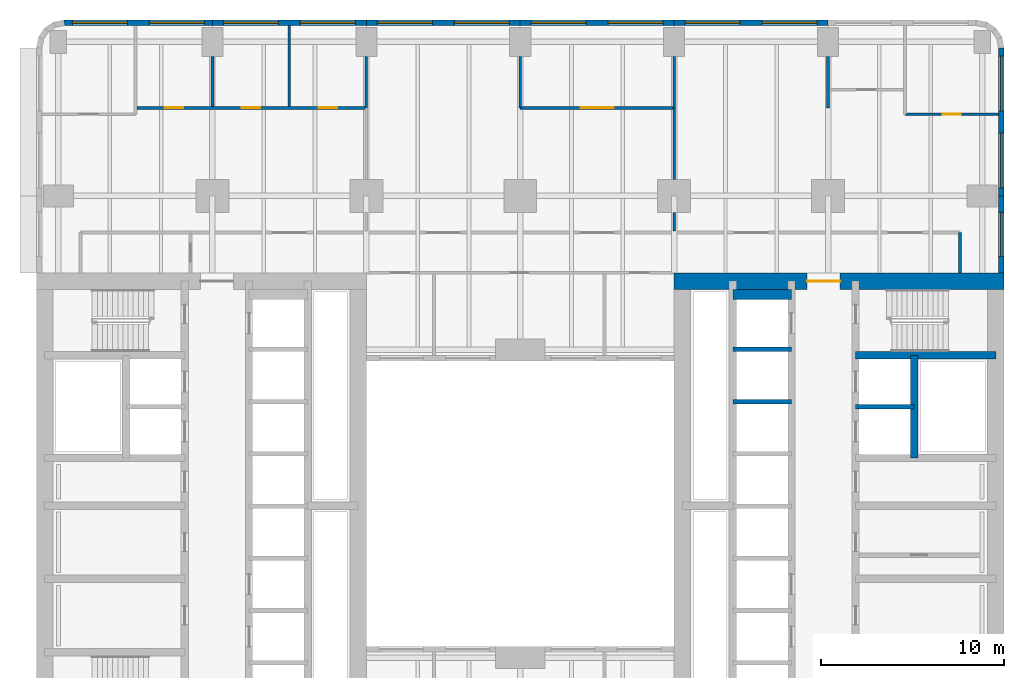
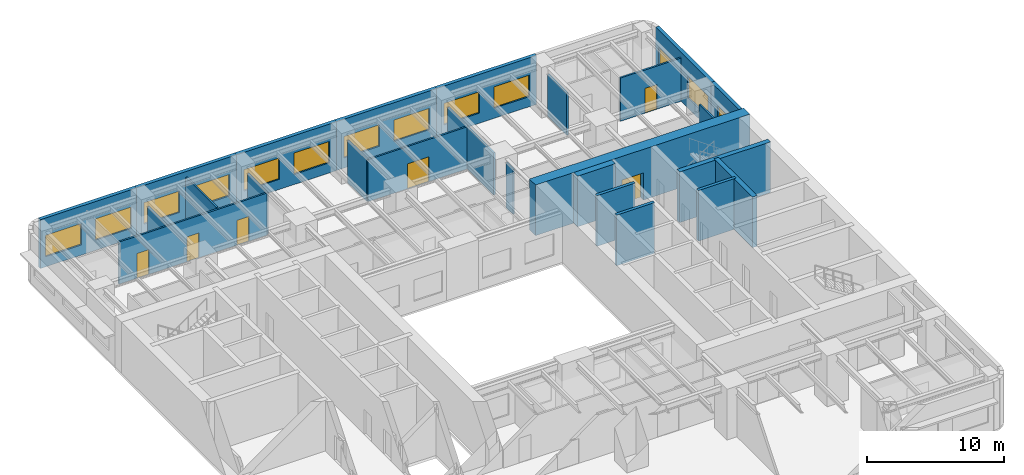
# One storey, part 7 of 12: 26 walls, 13 windows, 6 doors, 19 openings.
"""IFC4 building model written with IfcOpenShell, lengths in metres."""

from ifc_helpers import new_model, si_unit, direction, frame, frame_2d, origin, place, context, subcontext, project, spatial, rectangle, extrude, material, layer, layer_set, type_object, element, fill, save


model = new_model("IFC4")

# Units and contexts
model_context = context("Model", 3, precision=1e-05, world=origin(), true_north=direction((0.0, 1.0)))
body_context = subcontext(model_context, "Body", "Model", "MODEL_VIEW")
ifc_project = project(units=[si_unit("LENGTHUNIT", "METRE"), si_unit("AREAUNIT", "SQUARE_METRE"), si_unit("VOLUMEUNIT", "CUBIC_METRE"), si_unit("PLANEANGLEUNIT", "RADIAN"), si_unit("MASSUNIT", "GRAM", prefix="KILO")], contexts=[model_context])

# Site, building, storey
site_placement = place(None, origin())
site = spatial("IfcSite", under=ifc_project, at=site_placement, CompositionType="ELEMENT")
building_placement = place(site_placement, origin())
building = spatial("IfcBuilding", under=site, at=building_placement, Name="Claustro Exchange Tower", CompositionType="ELEMENT")
storey_placement = place(building_placement, frame((0.0, 0.0, 81.89990234375)))
storey = spatial("IfcBuildingStorey", under=building, at=storey_placement, Name="L18", CompositionType="ELEMENT", Elevation=81.89990234375)

# Wall, openings, doors
ifc_material_1 = material(Name="Gypsum board on steel studs", Category="steel")
ifc_layer_1 = layer(ifc_material_1, 0.14990234375)
ifc_layer_set_1 = layer_set([ifc_layer_1], Name="Gypsum board on steel studs")
wall_type_1 = type_object("IfcWallType", Name="P1 150 plasterboard partition", PredefinedType="PARTITIONING", material=ifc_layer_set_1)
wall_1_placement = place(storey_placement, frame((4.27392578125, 46.800048828125, 0.0), z_axis=(0.0, 0.0, 1.0), x_axis=(1.0, 0.0, 0.0)))
wall_1 = element("IfcWall", 1, at=wall_1_placement, inside=storey, type_object=wall_type_1, Name="Partition P1 L18", PredefinedType="PARTITIONING", context=body_context, shape_type="SweptSolid", body=[
    extrude(rectangle(XDim=12.4521484375, YDim=0.14990234375, at=frame_2d((6.22607421875, 0.0))), origin(), (0.0, 0.0, 1.0), 3.739990234375),
])
opening_1_placement = place(wall_1_placement, frame((1.52587890625, 0.0, 0.0)))
opening_1 = element("IfcOpeningElement", 2, at=opening_1_placement, cuts=wall_1, Name="Opening D1", PredefinedType="OPENING", context=body_context, shape_type="SweptSolid", body=[
    extrude(rectangle(XDim=1.0, YDim=2.199951171875, at=frame_2d((0.5, 1.10009765625))), frame((0.0, 0.0849609375, 0.0), z_axis=(0.0, -1.0, 0.0), x_axis=(1.0, 0.0, 0.0)), (0.0, 0.0, 1.0), 0.169921875),
])
opening_2_placement = place(wall_1_placement, frame((5.72607421875, 0.0, 0.0)))
opening_2 = element("IfcOpeningElement", 3, at=opening_2_placement, cuts=wall_1, Name="Opening D1", PredefinedType="OPENING", context=body_context, shape_type="SweptSolid", body=[
    extrude(rectangle(XDim=1.0, YDim=2.199951171875, at=frame_2d((0.5, 1.10009765625))), frame((0.0, 0.0849609375, 0.0), z_axis=(0.0, -1.0, 0.0), x_axis=(1.0, 0.0, 0.0)), (0.0, 0.0, 1.0), 0.169921875),
])
opening_3_placement = place(wall_1_placement, frame((9.926025390625, 0.0, 0.0)))
opening_3 = element("IfcOpeningElement", 4, at=opening_3_placement, cuts=wall_1, Name="Opening D1", PredefinedType="OPENING", context=body_context, shape_type="SweptSolid", body=[
    extrude(rectangle(XDim=1.0, YDim=2.199951171875, at=frame_2d((0.5, 1.10009765625))), frame((0.0, 0.0849609375, 0.0), z_axis=(0.0, -1.0, 0.0), x_axis=(1.0, 0.0, 0.0)), (0.0, 0.0, 1.0), 0.169921875),
])
ifc_material_2 = material(Name="Timber door, oak veneer", Category="wood")
door_type_1 = type_object("IfcDoorType", Name="D1 1000 x 2200 single door", OperationType="SINGLE_SWING_LEFT", PredefinedType="DOOR", material=ifc_material_2)
door_1_placement = place(opening_1_placement, origin())
door_1 = element("IfcDoor", 5, at=door_1_placement, inside=storey, type_object=door_type_1, Name="Door D1 L18", OperationType="SINGLE_SWING_LEFT", OverallHeight=2.199951171875, OverallWidth=1.0, PredefinedType="DOOR", context=body_context, shape_type="SweptSolid", body=[
    extrude(rectangle(XDim=1.0, YDim=2.199951171875, at=frame_2d((0.5, 1.10009765625))), frame((0.0, 0.02490234375, 0.0), z_axis=(0.0, -1.0, 0.0), x_axis=(1.0, 0.0, 0.0)), (0.0, 0.0, 1.0), 0.050048828125),
])
fill(opening_1, door_1)
door_2_placement = place(opening_2_placement, origin())
door_2 = element("IfcDoor", 6, at=door_2_placement, inside=storey, type_object=door_type_1, Name="Door D1 L18", OperationType="SINGLE_SWING_LEFT", OverallHeight=2.199951171875, OverallWidth=1.0, PredefinedType="DOOR", context=body_context, shape_type="SweptSolid", body=[
    extrude(rectangle(XDim=1.0, YDim=2.199951171875, at=frame_2d((0.5, 1.10009765625))), frame((0.0, 0.02490234375, 0.0), z_axis=(0.0, -1.0, 0.0), x_axis=(1.0, 0.0, 0.0)), (0.0, 0.0, 1.0), 0.050048828125),
])
fill(opening_2, door_2)
door_3_placement = place(opening_3_placement, origin())
door_3 = element("IfcDoor", 7, at=door_3_placement, inside=storey, type_object=door_type_1, Name="Door D1 L18", OperationType="SINGLE_SWING_LEFT", OverallHeight=2.199951171875, OverallWidth=1.0, PredefinedType="DOOR", context=body_context, shape_type="SweptSolid", body=[
    extrude(rectangle(XDim=1.0, YDim=2.199951171875, at=frame_2d((0.5, 1.10009765625))), frame((0.0, 0.02490234375, 0.0), z_axis=(0.0, -1.0, 0.0), x_axis=(1.0, 0.0, 0.0)), (0.0, 0.0, 1.0), 0.050048828125),
])
fill(opening_3, door_3)

# Walls
wall_2_placement = place(storey_placement, frame((8.39990234375, 46.8740234375, 0.0), z_axis=(0.0, 0.0, 1.0), x_axis=(0.0, 1.0, 0.0)))
element("IfcWall", 8, at=wall_2_placement, inside=storey, type_object=wall_type_1, Name="Partition P1 L18", PredefinedType="PARTITIONING", context=body_context, shape_type="SweptSolid", body=[
    extrude(rectangle(XDim=2.72705078125, YDim=0.14990234375, at=frame_2d((1.363525390625, 0.0))), origin(), (0.0, 0.0, 1.0), 3.739990234375),
])
wall_3_placement = place(storey_placement, frame((12.60009765625, 46.8740234375, 0.0), z_axis=(0.0, 0.0, 1.0), x_axis=(0.0, 1.0, 0.0)))
element("IfcWall", 9, at=wall_3_placement, inside=storey, type_object=wall_type_1, Name="Partition P1 L18", PredefinedType="PARTITIONING", context=body_context, shape_type="SweptSolid", body=[
    extrude(rectangle(XDim=4.427978515625, YDim=0.14990234375, at=frame_2d((2.2138671875, 0.0))), origin(), (0.0, 0.0, 1.0), 3.840087890625),
])
wall_4_placement = place(storey_placement, frame((16.800048828125, 46.798095703125, 0.0), z_axis=(0.0, 0.0, 1.0), x_axis=(0.0, 1.0, 0.0)))
element("IfcWall", 10, at=wall_4_placement, inside=storey, type_object=wall_type_1, Name="Partition P1 L18", PredefinedType="PARTITIONING", context=body_context, shape_type="SweptSolid", body=[
    extrude(rectangle(XDim=2.802978515625, YDim=0.14990234375, at=frame_2d((1.4013671875, 0.0))), origin(), (0.0, 0.0, 1.0), 3.739990234375),
])

# Wall, opening, door
wall_5_placement = place(storey_placement, frame((25.199951171875, 46.800048828125, 0.0), z_axis=(0.0, 0.0, 1.0), x_axis=(1.0, 0.0, 0.0)))
wall_5 = element("IfcWall", 11, at=wall_5_placement, inside=storey, type_object=wall_type_1, Name="Partition P1 L18", PredefinedType="PARTITIONING", context=body_context, shape_type="SweptSolid", body=[
    extrude(rectangle(XDim=8.325927734375, YDim=0.14990234375, at=frame_2d((4.1630859375, 0.0))), origin(), (0.0, 0.0, 1.0), 3.739990234375),
])
opening_4_placement = place(wall_5_placement, frame((3.300048828125, 0.0, 0.0)))
opening_4 = element("IfcOpeningElement", 12, at=opening_4_placement, cuts=wall_5, Name="Opening D2", PredefinedType="OPENING", context=body_context, shape_type="SweptSolid", body=[
    extrude(rectangle(XDim=1.800048828125, YDim=2.199951171875, at=frame_2d((0.89990234375, 1.10009765625))), frame((0.0, 0.0849609375, 0.0), z_axis=(0.0, -1.0, 0.0), x_axis=(1.0, 0.0, 0.0)), (0.0, 0.0, 1.0), 0.169921875),
])
ifc_material_3 = material(Name="Timber door, oak veneer", Category="wood")
door_type_2 = type_object("IfcDoorType", Name="D2 1800 x 2200 double door", OperationType="DOUBLE_DOOR_SINGLE_SWING", PredefinedType="DOOR", material=ifc_material_3)
door_4_placement = place(opening_4_placement, origin())
door_4 = element("IfcDoor", 13, at=door_4_placement, inside=storey, type_object=door_type_2, Name="Double door D2 L18", OperationType="DOUBLE_DOOR_SINGLE_SWING", OverallHeight=2.199951171875, OverallWidth=1.800048828125, PredefinedType="DOOR", context=body_context, shape_type="SweptSolid", body=[
    extrude(rectangle(XDim=1.800048828125, YDim=2.199951171875, at=frame_2d((0.89990234375, 1.10009765625))), frame((0.0, 0.02490234375, 0.0), z_axis=(0.0, -1.0, 0.0), x_axis=(1.0, 0.0, 0.0)), (0.0, 0.0, 1.0), 0.050048828125),
])
fill(opening_4, door_4)

# Walls
wall_6_placement = place(storey_placement, frame((25.199951171875, 46.800048828125, 0.0), z_axis=(0.0, 0.0, 1.0), x_axis=(0.0, 1.0, 0.0)))
element("IfcWall", 14, at=wall_6_placement, inside=storey, type_object=wall_type_1, Name="Partition P1 L18", PredefinedType="PARTITIONING", context=body_context, shape_type="SweptSolid", body=[
    extrude(rectangle(XDim=2.801025390625, YDim=0.14990234375, at=frame_2d((1.400390625, 0.0))), origin(), (0.0, 0.0, 1.0), 3.739990234375),
])
wall_7_placement = place(storey_placement, frame((33.60009765625, 46.798095703125, 0.0), z_axis=(0.0, 0.0, 1.0), x_axis=(0.0, 1.0, 0.0)))
element("IfcWall", 15, at=wall_7_placement, inside=storey, type_object=wall_type_1, Name="Partition P1 L18", PredefinedType="PARTITIONING", context=body_context, shape_type="SweptSolid", body=[
    extrude(rectangle(XDim=2.802978515625, YDim=0.14990234375, at=frame_2d((1.4013671875, 0.0))), origin(), (0.0, 0.0, 1.0), 3.739990234375),
])

# Wall, opening, door
wall_8_placement = place(storey_placement, frame((46.199951171875, 46.449951171875, 0.0), z_axis=(0.0, 0.0, 1.0), x_axis=(1.0, 0.0, 0.0)))
wall_8 = element("IfcWall", 16, at=wall_8_placement, inside=storey, type_object=wall_type_1, Name="Partition P1 L18", PredefinedType="PARTITIONING", context=body_context, shape_type="SweptSolid", body=[
    extrude(rectangle(XDim=5.10205078125, YDim=0.14990234375, at=frame_2d((2.551025390625, 0.0))), origin(), (0.0, 0.0, 1.0), 3.840087890625),
])
opening_5_placement = place(wall_8_placement, frame((2.050048828125, 0.0, 0.0)))
opening_5 = element("IfcOpeningElement", 17, at=opening_5_placement, cuts=wall_8, Name="Opening D1", PredefinedType="OPENING", context=body_context, shape_type="SweptSolid", body=[
    extrude(rectangle(XDim=1.0, YDim=2.199951171875, at=frame_2d((0.5, 1.10009765625))), frame((0.0, 0.0849609375, 0.0), z_axis=(0.0, -1.0, 0.0), x_axis=(1.0, 0.0, 0.0)), (0.0, 0.0, 1.0), 0.169921875),
])
door_5_placement = place(opening_5_placement, origin())
door_5 = element("IfcDoor", 18, at=door_5_placement, inside=storey, type_object=door_type_1, Name="Door D1 L18", OperationType="SINGLE_SWING_LEFT", OverallHeight=2.199951171875, OverallWidth=1.0, PredefinedType="DOOR", context=body_context, shape_type="SweptSolid", body=[
    extrude(rectangle(XDim=1.0, YDim=2.199951171875, at=frame_2d((0.5, 1.10009765625))), frame((0.0, 0.02490234375, 0.0), z_axis=(0.0, -1.0, 0.0), x_axis=(1.0, 0.0, 0.0)), (0.0, 0.0, 1.0), 0.050048828125),
])
fill(opening_5, door_5)

# Walls
wall_9_placement = place(storey_placement, frame((42.0, 46.800048828125, 0.0), z_axis=(0.0, 0.0, 1.0), x_axis=(0.0, 1.0, 0.0)))
element("IfcWall", 19, at=wall_9_placement, inside=storey, type_object=wall_type_1, Name="Partition P1 L18", PredefinedType="PARTITIONING", context=body_context, shape_type="SweptSolid", body=[
    extrude(rectangle(XDim=2.801025390625, YDim=0.14990234375, at=frame_2d((1.400390625, 0.0))), origin(), (0.0, 0.0, 1.0), 3.739990234375),
])
wall_10_placement = place(storey_placement, frame((33.60009765625, 40.073974609375, 0.0), z_axis=(0.0, 0.0, 1.0), x_axis=(0.0, 1.0, 0.0)))
element("IfcWall", 20, at=wall_10_placement, inside=storey, type_object=wall_type_1, Name="Partition P1 L18", PredefinedType="PARTITIONING", context=body_context, shape_type="SweptSolid", body=[
    extrude(rectangle(XDim=1.027099609375, YDim=0.14990234375, at=frame_2d((0.513671875, 0.0))), origin(), (0.0, 0.0, 1.0), 3.97998046875),
])
wall_11_placement = place(storey_placement, frame((33.60009765625, 42.89892578125, 0.0), z_axis=(0.0, 0.0, 1.0), x_axis=(0.0, 1.0, 0.0)))
element("IfcWall", 21, at=wall_11_placement, inside=storey, type_object=wall_type_1, Name="Partition P1 L18", PredefinedType="PARTITIONING", context=body_context, shape_type="SweptSolid", body=[
    extrude(rectangle(XDim=3.903076171875, YDim=0.14990234375, at=frame_2d((1.95166015625, 0.0))), origin(), (0.0, 0.0, 1.0), 3.739990234375),
])
wall_12_placement = place(storey_placement, frame((49.199951171875, 37.800048828125, 0.0), z_axis=(0.0, 0.0, 1.0), x_axis=(0.0, 1.0, 0.0)))
element("IfcWall", 22, at=wall_12_placement, inside=storey, type_object=wall_type_1, Name="Partition P1 L18", PredefinedType="PARTITIONING", context=body_context, shape_type="SweptSolid", body=[
    extrude(rectangle(XDim=2.199951171875, YDim=0.14990234375, at=frame_2d((1.10009765625, 0.0))), origin(), (0.0, 0.0, 1.0), 4.340087890625),
])

# Wall, openings, windows
ifc_material_4 = material(Name="Concrete HA-40 (C40/50), precast, white cement, acid-etched", Category="concrete")
ifc_layer_2 = layer(ifc_material_4, 0.300048828125)
ifc_layer_set_2 = layer_set([ifc_layer_2], Name="Concrete HA-40 (C40/50), precast, white cement, acid-etched")
wall_type_2 = type_object("IfcWallType", Name="PC1 300 precast concrete pier panel", PredefinedType="SOLIDWALL", material=ifc_layer_set_2)
wall_13_placement = place(storey_placement, frame((0.314697265625, 51.449951171875, 0.0), z_axis=(0.0, 0.0, 1.0), x_axis=(1.0, 0.0, 0.0)))
wall_13 = element("IfcWall", 23, at=wall_13_placement, inside=storey, type_object=wall_type_2, Name="Precast pier panel PC1 L18", PredefinedType="SOLIDWALL", context=body_context, shape_type="SweptSolid", body=[
    extrude(rectangle(XDim=8.085205078125, YDim=0.300048828125, at=frame_2d((4.04248046875, 0.0))), origin(), (0.0, 0.0, 1.0), 4.340087890625),
])
opening_6_placement = place(wall_13_placement, frame((0.442626953125, 0.0, 0.89990234375)))
opening_6 = element("IfcOpeningElement", 24, at=opening_6_placement, cuts=wall_13, Name="Opening W1", PredefinedType="OPENING", context=body_context, shape_type="SweptSolid", body=[
    extrude(rectangle(XDim=3.0, YDim=1.89990234375, at=frame_2d((1.5, 0.949951171875))), frame((0.0, 0.159912109375, 0.0), z_axis=(0.0, -1.0, 0.0), x_axis=(1.0, 0.0, 0.0)), (0.0, 0.0, 1.0), 0.320068359375),
])
opening_7_placement = place(wall_13_placement, frame((4.642578125, 0.0, 0.89990234375)))
opening_7 = element("IfcOpeningElement", 25, at=opening_7_placement, cuts=wall_13, Name="Opening W1", PredefinedType="OPENING", context=body_context, shape_type="SweptSolid", body=[
    extrude(rectangle(XDim=3.0, YDim=1.89990234375, at=frame_2d((1.5, 0.949951171875))), frame((0.0, 0.159912109375, 0.0), z_axis=(0.0, -1.0, 0.0), x_axis=(1.0, 0.0, 0.0)), (0.0, 0.0, 1.0), 0.320068359375),
])
ifc_material_5 = material(Name="Aluminium frame, clear double glazing", Category="aluminium")
window_type_1 = type_object("IfcWindowType", Name="W1 3000 x 1900 window", PartitioningType="SINGLE_PANEL", PredefinedType="WINDOW", material=ifc_material_5)
window_1_placement = place(opening_6_placement, origin())
window_1 = element("IfcWindow", 26, at=window_1_placement, inside=storey, type_object=window_type_1, Name="Window W1 L18", OverallHeight=1.89990234375, OverallWidth=3.0, PartitioningType="SINGLE_PANEL", PredefinedType="WINDOW", context=body_context, shape_type="SweptSolid", body=[
    extrude(rectangle(XDim=3.0, YDim=1.89990234375, at=frame_2d((1.5, 0.949951171875))), frame((0.0, 0.030029296875, 0.0), z_axis=(0.0, -1.0, 0.0), x_axis=(1.0, 0.0, 0.0)), (0.0, 0.0, 1.0), 0.06005859375),
])
fill(opening_6, window_1)
window_2_placement = place(opening_7_placement, origin())
window_2 = element("IfcWindow", 27, at=window_2_placement, inside=storey, type_object=window_type_1, Name="Window W1 L18", OverallHeight=1.89990234375, OverallWidth=3.0, PartitioningType="SINGLE_PANEL", PredefinedType="WINDOW", context=body_context, shape_type="SweptSolid", body=[
    extrude(rectangle(XDim=3.0, YDim=1.89990234375, at=frame_2d((1.5, 0.949951171875))), frame((0.0, 0.030029296875, 0.0), z_axis=(0.0, -1.0, 0.0), x_axis=(1.0, 0.0, 0.0)), (0.0, 0.0, 1.0), 0.06005859375),
])
fill(opening_7, window_2)

wall_14_placement = place(storey_placement, frame((8.39990234375, 51.449951171875, 0.0), z_axis=(0.0, 0.0, 1.0), x_axis=(1.0, 0.0, 0.0)))
wall_14 = element("IfcWall", 28, at=wall_14_placement, inside=storey, type_object=wall_type_2, Name="Precast pier panel PC1 L18", PredefinedType="SOLIDWALL", context=body_context, shape_type="SweptSolid", body=[
    extrude(rectangle(XDim=8.400146484375, YDim=0.300048828125, at=frame_2d((4.2001953125, 0.0))), origin(), (0.0, 0.0, 1.0), 4.340087890625),
])
opening_8_placement = place(wall_14_placement, frame((0.60009765625, 0.0, 0.89990234375)))
opening_8 = element("IfcOpeningElement", 29, at=opening_8_placement, cuts=wall_14, Name="Opening W1", PredefinedType="OPENING", context=body_context, shape_type="SweptSolid", body=[
    extrude(rectangle(XDim=3.0, YDim=1.89990234375, at=frame_2d((1.5, 0.949951171875))), frame((0.0, 0.159912109375, 0.0), z_axis=(0.0, -1.0, 0.0), x_axis=(1.0, 0.0, 0.0)), (0.0, 0.0, 1.0), 0.320068359375),
])
opening_9_placement = place(wall_14_placement, frame((4.800048828125, 0.0, 0.89990234375)))
opening_9 = element("IfcOpeningElement", 30, at=opening_9_placement, cuts=wall_14, Name="Opening W1", PredefinedType="OPENING", context=body_context, shape_type="SweptSolid", body=[
    extrude(rectangle(XDim=3.0, YDim=1.89990234375, at=frame_2d((1.5, 0.949951171875))), frame((0.0, 0.159912109375, 0.0), z_axis=(0.0, -1.0, 0.0), x_axis=(1.0, 0.0, 0.0)), (0.0, 0.0, 1.0), 0.320068359375),
])
window_3_placement = place(opening_8_placement, origin())
window_3 = element("IfcWindow", 31, at=window_3_placement, inside=storey, type_object=window_type_1, Name="Window W1 L18", OverallHeight=1.89990234375, OverallWidth=3.0, PartitioningType="SINGLE_PANEL", PredefinedType="WINDOW", context=body_context, shape_type="SweptSolid", body=[
    extrude(rectangle(XDim=3.0, YDim=1.89990234375, at=frame_2d((1.5, 0.949951171875))), frame((0.0, 0.030029296875, 0.0), z_axis=(0.0, -1.0, 0.0), x_axis=(1.0, 0.0, 0.0)), (0.0, 0.0, 1.0), 0.06005859375),
])
fill(opening_8, window_3)
window_4_placement = place(opening_9_placement, origin())
window_4 = element("IfcWindow", 32, at=window_4_placement, inside=storey, type_object=window_type_1, Name="Window W1 L18", OverallHeight=1.89990234375, OverallWidth=3.0, PartitioningType="SINGLE_PANEL", PredefinedType="WINDOW", context=body_context, shape_type="SweptSolid", body=[
    extrude(rectangle(XDim=3.0, YDim=1.89990234375, at=frame_2d((1.5, 0.949951171875))), frame((0.0, 0.030029296875, 0.0), z_axis=(0.0, -1.0, 0.0), x_axis=(1.0, 0.0, 0.0)), (0.0, 0.0, 1.0), 0.06005859375),
])
fill(opening_9, window_4)

wall_15_placement = place(storey_placement, frame((16.800048828125, 51.449951171875, 0.0), z_axis=(0.0, 0.0, 1.0), x_axis=(1.0, 0.0, 0.0)))
wall_15 = element("IfcWall", 33, at=wall_15_placement, inside=storey, type_object=wall_type_2, Name="Precast pier panel PC1 L18", PredefinedType="SOLIDWALL", context=body_context, shape_type="SweptSolid", body=[
    extrude(rectangle(XDim=8.39990234375, YDim=0.300048828125, at=frame_2d((4.199951171875, 0.0))), origin(), (0.0, 0.0, 1.0), 4.340087890625),
])
opening_10_placement = place(wall_15_placement, frame((0.60009765625, 0.0, 0.89990234375)))
opening_10 = element("IfcOpeningElement", 34, at=opening_10_placement, cuts=wall_15, Name="Opening W1", PredefinedType="OPENING", context=body_context, shape_type="SweptSolid", body=[
    extrude(rectangle(XDim=3.0, YDim=1.89990234375, at=frame_2d((1.5, 0.949951171875))), frame((0.0, 0.159912109375, 0.0), z_axis=(0.0, -1.0, 0.0), x_axis=(1.0, 0.0, 0.0)), (0.0, 0.0, 1.0), 0.320068359375),
])
opening_11_placement = place(wall_15_placement, frame((4.800048828125, 0.0, 0.89990234375)))
opening_11 = element("IfcOpeningElement", 35, at=opening_11_placement, cuts=wall_15, Name="Opening W1", PredefinedType="OPENING", context=body_context, shape_type="SweptSolid", body=[
    extrude(rectangle(XDim=3.0, YDim=1.89990234375, at=frame_2d((1.5, 0.949951171875))), frame((0.0, 0.159912109375, 0.0), z_axis=(0.0, -1.0, 0.0), x_axis=(1.0, 0.0, 0.0)), (0.0, 0.0, 1.0), 0.320068359375),
])
window_5_placement = place(opening_10_placement, origin())
window_5 = element("IfcWindow", 36, at=window_5_placement, inside=storey, type_object=window_type_1, Name="Window W1 L18", OverallHeight=1.89990234375, OverallWidth=3.0, PartitioningType="SINGLE_PANEL", PredefinedType="WINDOW", context=body_context, shape_type="SweptSolid", body=[
    extrude(rectangle(XDim=3.0, YDim=1.89990234375, at=frame_2d((1.5, 0.949951171875))), frame((0.0, 0.030029296875, 0.0), z_axis=(0.0, -1.0, 0.0), x_axis=(1.0, 0.0, 0.0)), (0.0, 0.0, 1.0), 0.06005859375),
])
fill(opening_10, window_5)
window_6_placement = place(opening_11_placement, origin())
window_6 = element("IfcWindow", 37, at=window_6_placement, inside=storey, type_object=window_type_1, Name="Window W1 L18", OverallHeight=1.89990234375, OverallWidth=3.0, PartitioningType="SINGLE_PANEL", PredefinedType="WINDOW", context=body_context, shape_type="SweptSolid", body=[
    extrude(rectangle(XDim=3.0, YDim=1.89990234375, at=frame_2d((1.5, 0.949951171875))), frame((0.0, 0.030029296875, 0.0), z_axis=(0.0, -1.0, 0.0), x_axis=(1.0, 0.0, 0.0)), (0.0, 0.0, 1.0), 0.06005859375),
])
fill(opening_11, window_6)

wall_16_placement = place(storey_placement, frame((25.199951171875, 51.449951171875, 0.0), z_axis=(0.0, 0.0, 1.0), x_axis=(1.0, 0.0, 0.0)))
wall_16 = element("IfcWall", 38, at=wall_16_placement, inside=storey, type_object=wall_type_2, Name="Precast pier panel PC1 L18", PredefinedType="SOLIDWALL", context=body_context, shape_type="SweptSolid", body=[
    extrude(rectangle(XDim=8.400146484375, YDim=0.300048828125, at=frame_2d((4.2001953125, 0.0))), origin(), (0.0, 0.0, 1.0), 4.340087890625),
])
opening_12_placement = place(wall_16_placement, frame((0.60009765625, 0.0, 0.89990234375)))
opening_12 = element("IfcOpeningElement", 39, at=opening_12_placement, cuts=wall_16, Name="Opening W1", PredefinedType="OPENING", context=body_context, shape_type="SweptSolid", body=[
    extrude(rectangle(XDim=3.0, YDim=1.89990234375, at=frame_2d((1.5, 0.949951171875))), frame((0.0, 0.159912109375, 0.0), z_axis=(0.0, -1.0, 0.0), x_axis=(1.0, 0.0, 0.0)), (0.0, 0.0, 1.0), 0.320068359375),
])
opening_13_placement = place(wall_16_placement, frame((4.800048828125, 0.0, 0.89990234375)))
opening_13 = element("IfcOpeningElement", 40, at=opening_13_placement, cuts=wall_16, Name="Opening W1", PredefinedType="OPENING", context=body_context, shape_type="SweptSolid", body=[
    extrude(rectangle(XDim=3.0, YDim=1.89990234375, at=frame_2d((1.5, 0.949951171875))), frame((0.0, 0.159912109375, 0.0), z_axis=(0.0, -1.0, 0.0), x_axis=(1.0, 0.0, 0.0)), (0.0, 0.0, 1.0), 0.320068359375),
])
window_7_placement = place(opening_12_placement, origin())
window_7 = element("IfcWindow", 41, at=window_7_placement, inside=storey, type_object=window_type_1, Name="Window W1 L18", OverallHeight=1.89990234375, OverallWidth=3.0, PartitioningType="SINGLE_PANEL", PredefinedType="WINDOW", context=body_context, shape_type="SweptSolid", body=[
    extrude(rectangle(XDim=3.0, YDim=1.89990234375, at=frame_2d((1.5, 0.949951171875))), frame((0.0, 0.030029296875, 0.0), z_axis=(0.0, -1.0, 0.0), x_axis=(1.0, 0.0, 0.0)), (0.0, 0.0, 1.0), 0.06005859375),
])
fill(opening_12, window_7)
window_8_placement = place(opening_13_placement, origin())
window_8 = element("IfcWindow", 42, at=window_8_placement, inside=storey, type_object=window_type_1, Name="Window W1 L18", OverallHeight=1.89990234375, OverallWidth=3.0, PartitioningType="SINGLE_PANEL", PredefinedType="WINDOW", context=body_context, shape_type="SweptSolid", body=[
    extrude(rectangle(XDim=3.0, YDim=1.89990234375, at=frame_2d((1.5, 0.949951171875))), frame((0.0, 0.030029296875, 0.0), z_axis=(0.0, -1.0, 0.0), x_axis=(1.0, 0.0, 0.0)), (0.0, 0.0, 1.0), 0.06005859375),
])
fill(opening_13, window_8)

wall_17_placement = place(storey_placement, frame((33.60009765625, 51.449951171875, 0.0), z_axis=(0.0, 0.0, 1.0), x_axis=(1.0, 0.0, 0.0)))
wall_17 = element("IfcWall", 43, at=wall_17_placement, inside=storey, type_object=wall_type_2, Name="Precast pier panel PC1 L18", PredefinedType="SOLIDWALL", context=body_context, shape_type="SweptSolid", body=[
    extrude(rectangle(XDim=8.39990234375, YDim=0.300048828125, at=frame_2d((4.199951171875, 0.0))), origin(), (0.0, 0.0, 1.0), 4.340087890625),
])
opening_14_placement = place(wall_17_placement, frame((0.60009765625, 0.0, 0.89990234375)))
opening_14 = element("IfcOpeningElement", 44, at=opening_14_placement, cuts=wall_17, Name="Opening W1", PredefinedType="OPENING", context=body_context, shape_type="SweptSolid", body=[
    extrude(rectangle(XDim=3.0, YDim=1.89990234375, at=frame_2d((1.5, 0.949951171875))), frame((0.0, 0.159912109375, 0.0), z_axis=(0.0, -1.0, 0.0), x_axis=(1.0, 0.0, 0.0)), (0.0, 0.0, 1.0), 0.320068359375),
])
opening_15_placement = place(wall_17_placement, frame((4.800048828125, 0.0, 0.89990234375)))
opening_15 = element("IfcOpeningElement", 45, at=opening_15_placement, cuts=wall_17, Name="Opening W1", PredefinedType="OPENING", context=body_context, shape_type="SweptSolid", body=[
    extrude(rectangle(XDim=3.0, YDim=1.89990234375, at=frame_2d((1.5, 0.949951171875))), frame((0.0, 0.159912109375, 0.0), z_axis=(0.0, -1.0, 0.0), x_axis=(1.0, 0.0, 0.0)), (0.0, 0.0, 1.0), 0.320068359375),
])
window_9_placement = place(opening_14_placement, origin())
window_9 = element("IfcWindow", 46, at=window_9_placement, inside=storey, type_object=window_type_1, Name="Window W1 L18", OverallHeight=1.89990234375, OverallWidth=3.0, PartitioningType="SINGLE_PANEL", PredefinedType="WINDOW", context=body_context, shape_type="SweptSolid", body=[
    extrude(rectangle(XDim=3.0, YDim=1.89990234375, at=frame_2d((1.5, 0.949951171875))), frame((0.0, 0.030029296875, 0.0), z_axis=(0.0, -1.0, 0.0), x_axis=(1.0, 0.0, 0.0)), (0.0, 0.0, 1.0), 0.06005859375),
])
fill(opening_14, window_9)
window_10_placement = place(opening_15_placement, origin())
window_10 = element("IfcWindow", 47, at=window_10_placement, inside=storey, type_object=window_type_1, Name="Window W1 L18", OverallHeight=1.89990234375, OverallWidth=3.0, PartitioningType="SINGLE_PANEL", PredefinedType="WINDOW", context=body_context, shape_type="SweptSolid", body=[
    extrude(rectangle(XDim=3.0, YDim=1.89990234375, at=frame_2d((1.5, 0.949951171875))), frame((0.0, 0.030029296875, 0.0), z_axis=(0.0, -1.0, 0.0), x_axis=(1.0, 0.0, 0.0)), (0.0, 0.0, 1.0), 0.06005859375),
])
fill(opening_15, window_10)

wall_18_placement = place(storey_placement, frame((51.449951171875, 50.085205078125, 0.0), z_axis=(0.0, 0.0, 1.0), x_axis=(0.0, -1.0, 0.0)))
wall_18 = element("IfcWall", 48, at=wall_18_placement, inside=storey, type_object=wall_type_2, Name="Precast pier panel PC1 L18", PredefinedType="SOLIDWALL", context=body_context, shape_type="SweptSolid", body=[
    extrude(rectangle(XDim=8.085205078125, YDim=0.300048828125, at=frame_2d((4.04248046875, 0.0))), origin(), (0.0, 0.0, 1.0), 4.340087890625),
])
opening_16_placement = place(wall_18_placement, frame((0.442626953125, 0.0, 0.89990234375)))
opening_16 = element("IfcOpeningElement", 49, at=opening_16_placement, cuts=wall_18, Name="Opening W1", PredefinedType="OPENING", context=body_context, shape_type="SweptSolid", body=[
    extrude(rectangle(XDim=3.0, YDim=1.89990234375, at=frame_2d((1.5, 0.949951171875))), frame((0.0, 0.159912109375, 0.0), z_axis=(0.0, -1.0, 0.0), x_axis=(1.0, 0.0, 0.0)), (0.0, 0.0, 1.0), 0.320068359375),
])
opening_17_placement = place(wall_18_placement, frame((4.642578125, 0.0, 0.89990234375)))
opening_17 = element("IfcOpeningElement", 50, at=opening_17_placement, cuts=wall_18, Name="Opening W1", PredefinedType="OPENING", context=body_context, shape_type="SweptSolid", body=[
    extrude(rectangle(XDim=3.0, YDim=1.89990234375, at=frame_2d((1.5, 0.949951171875))), frame((0.0, 0.159912109375, 0.0), z_axis=(0.0, -1.0, 0.0), x_axis=(1.0, 0.0, 0.0)), (0.0, 0.0, 1.0), 0.320068359375),
])
window_11_placement = place(opening_16_placement, origin())
window_11 = element("IfcWindow", 51, at=window_11_placement, inside=storey, type_object=window_type_1, Name="Window W1 L18", OverallHeight=1.89990234375, OverallWidth=3.0, PartitioningType="SINGLE_PANEL", PredefinedType="WINDOW", context=body_context, shape_type="SweptSolid", body=[
    extrude(rectangle(XDim=3.0, YDim=1.89990234375, at=frame_2d((1.5, 0.949951171875))), frame((0.0, 0.030029296875, 0.0), z_axis=(0.0, -1.0, 0.0), x_axis=(1.0, 0.0, 0.0)), (0.0, 0.0, 1.0), 0.06005859375),
])
fill(opening_16, window_11)
window_12_placement = place(opening_17_placement, origin())
window_12 = element("IfcWindow", 52, at=window_12_placement, inside=storey, type_object=window_type_1, Name="Window W1 L18", OverallHeight=1.89990234375, OverallWidth=3.0, PartitioningType="SINGLE_PANEL", PredefinedType="WINDOW", context=body_context, shape_type="SweptSolid", body=[
    extrude(rectangle(XDim=3.0, YDim=1.89990234375, at=frame_2d((1.5, 0.949951171875))), frame((0.0, 0.030029296875, 0.0), z_axis=(0.0, -1.0, 0.0), x_axis=(1.0, 0.0, 0.0)), (0.0, 0.0, 1.0), 0.06005859375),
])
fill(opening_17, window_12)

# Wall, opening, window
wall_19_placement = place(storey_placement, frame((51.449951171875, 42.0, 0.0), z_axis=(0.0, 0.0, 1.0), x_axis=(0.0, -1.0, 0.0)))
wall_19 = element("IfcWall", 53, at=wall_19_placement, inside=storey, type_object=wall_type_2, Name="Precast pier panel PC1 L18", PredefinedType="SOLIDWALL", context=body_context, shape_type="SweptSolid", body=[
    extrude(rectangle(XDim=4.199951171875, YDim=0.300048828125, at=frame_2d((2.10009765625, 0.0))), origin(), (0.0, 0.0, 1.0), 4.340087890625),
])
opening_18_placement = place(wall_19_placement, frame((0.89990234375, 0.0, 0.89990234375)))
opening_18 = element("IfcOpeningElement", 54, at=opening_18_placement, cuts=wall_19, Name="Opening W2", PredefinedType="OPENING", context=body_context, shape_type="SweptSolid", body=[
    extrude(rectangle(XDim=2.39990234375, YDim=1.89990234375, at=frame_2d((1.199951171875, 0.949951171875))), frame((0.0, 0.159912109375, 0.0), z_axis=(0.0, -1.0, 0.0), x_axis=(1.0, 0.0, 0.0)), (0.0, 0.0, 1.0), 0.320068359375),
])
ifc_material_6 = material(Name="Aluminium frame, clear double glazing", Category="aluminium")
window_type_2 = type_object("IfcWindowType", Name="W2 2400 x 1900 window", PartitioningType="SINGLE_PANEL", PredefinedType="WINDOW", material=ifc_material_6)
window_13_placement = place(opening_18_placement, origin())
window_13 = element("IfcWindow", 55, at=window_13_placement, inside=storey, type_object=window_type_2, Name="Window W2 L18", OverallHeight=1.89990234375, OverallWidth=2.39990234375, PartitioningType="SINGLE_PANEL", PredefinedType="WINDOW", context=body_context, shape_type="SweptSolid", body=[
    extrude(rectangle(XDim=2.39990234375, YDim=1.89990234375, at=frame_2d((1.199951171875, 0.949951171875))), frame((0.0, 0.030029296875, 0.0), z_axis=(0.0, -1.0, 0.0), x_axis=(1.0, 0.0, 0.0)), (0.0, 0.0, 1.0), 0.06005859375),
])
fill(opening_18, window_13)

# Wall, opening, door
ifc_material_7 = material(Name="Concrete HA-70 (C70/85)", Category="concrete")
ifc_layer_3 = layer(ifc_material_7, 0.89990234375)
ifc_layer_set_3 = layer_set([ifc_layer_3], Name="Concrete HA-70 (C70/85)")
wall_type_3 = type_object("IfcWallType", Name="SW1 900 core shear wall", PredefinedType="SHEAR", material=ifc_layer_set_3)
wall_20_placement = place(storey_placement, frame((33.60009765625, 37.35009765625, 0.0), z_axis=(0.0, 0.0, 1.0), x_axis=(1.0, 0.0, 0.0)))
wall_20 = element("IfcWall", 56, at=wall_20_placement, inside=storey, type_object=wall_type_3, Name="Core wall SW1 E core N face L18", PredefinedType="SHEAR", context=body_context, shape_type="SweptSolid", body=[
    extrude(rectangle(XDim=18.0, YDim=0.89990234375, at=frame_2d((9.0, 0.0))), origin(), (0.0, 0.0, 1.0), 4.5),
])
opening_19_placement = place(wall_20_placement, frame((7.25, 0.0, 0.0)))
opening_19 = element("IfcOpeningElement", 57, at=opening_19_placement, cuts=wall_20, Name="Opening D3", PredefinedType="OPENING", context=body_context, shape_type="SweptSolid", body=[
    extrude(rectangle(XDim=1.800048828125, YDim=2.39990234375, at=frame_2d((0.89990234375, 1.199951171875))), frame((0.0, 0.4599609375, 0.0), z_axis=(0.0, -1.0, 0.0), x_axis=(1.0, 0.0, 0.0)), (0.0, 0.0, 1.0), 0.919921875),
])
ifc_material_8 = material(Name="Steel fire door, painted", Category="steel")
door_type_3 = type_object("IfcDoorType", Name="D3 1800 x 2400 fire-rated lobby double door", OperationType="DOUBLE_DOOR_SINGLE_SWING", PredefinedType="DOOR", material=ifc_material_8)
door_6_placement = place(opening_19_placement, frame((1.800048828125, 0.0, 0.0), z_axis=(0.0, 0.0, 1.0), x_axis=(-1.0, 0.0, 0.0)))
door_6 = element("IfcDoor", 58, at=door_6_placement, inside=storey, type_object=door_type_3, Name="Lift lobby door D3 L18", OperationType="DOUBLE_DOOR_SINGLE_SWING", OverallHeight=2.39990234375, OverallWidth=1.800048828125, PredefinedType="DOOR", context=body_context, shape_type="SweptSolid", body=[
    extrude(rectangle(XDim=1.800048828125, YDim=2.39990234375, at=frame_2d((0.89990234375, 1.199951171875))), frame((0.0, 0.02490234375, 0.0), z_axis=(0.0, -1.0, 0.0), x_axis=(1.0, 0.0, 0.0)), (0.0, 0.0, 1.0), 0.050048828125),
])
fill(opening_19, door_6)

# Walls
ifc_material_9 = material(Name="Concrete HA-50 (C50/60)", Category="concrete")
ifc_layer_4 = layer(ifc_material_9, 0.39990234375)
ifc_layer_set_4 = layer_set([ifc_layer_4], Name="Concrete HA-50 (C50/60)")
wall_type_4 = type_object("IfcWallType", Name="SW4 400 internal core wall", PredefinedType="SHEAR", material=ifc_layer_set_4)
wall_21_placement = place(storey_placement, frame((51.14990234375, 33.300048828125, 0.0), z_axis=(0.0, 0.0, 1.0), x_axis=(-1.0, 0.0, 0.0)))
element("IfcWall", 59, at=wall_21_placement, inside=storey, type_object=wall_type_4, Name="Internal core wall SW4 E core L18", PredefinedType="SHEAR", context=body_context, shape_type="SweptSolid", body=[
    extrude(rectangle(XDim=7.64990234375, YDim=0.39990234375, at=frame_2d((3.824951171875, 0.0))), origin(), (0.0, 0.0, 1.0), 4.5),
])
wall_22_placement = place(storey_placement, frame((46.699951171875, 27.699951171875, 0.0), z_axis=(0.0, 0.0, 1.0), x_axis=(0.0, 1.0, 0.0)))
element("IfcWall", 60, at=wall_22_placement, inside=storey, type_object=wall_type_4, Name="Internal core wall SW4 E core L18", PredefinedType="SHEAR", context=body_context, shape_type="SweptSolid", body=[
    extrude(rectangle(XDim=5.60009765625, YDim=0.39990234375, at=frame_2d((2.800048828125, 0.0))), origin(), (0.0, 0.0, 1.0), 4.5),
])
ifc_material_10 = material(Name="Concrete HA-50 (C50/60)", Category="concrete")
ifc_layer_5 = layer(ifc_material_10, 0.25)
ifc_layer_set_5 = layer_set([ifc_layer_5], Name="Concrete HA-50 (C50/60)")
wall_type_5 = type_object("IfcWallType", Name="SW5 250 lift shaft divider wall", PredefinedType="SHEAR", material=ifc_layer_set_5)
for number, where, z_axis, x_axis, name in (
    (61, (46.699951171875, 30.5, 0.0), (0.0, 0.0, 1.0), (-1.0, 0.0, 0.0), "Lift shaft wall E core L18"),
    (62, (40.0, 30.77490234375, 0.0), (0.0, 0.0, 1.0), (-1.0, 0.0, 0.0), "Lift shaft wall E core L18"),
    (63, (40.0, 33.625, 0.0), (0.0, 0.0, 1.0), (-1.0, 0.0, 0.0), "Lift shaft wall E core L18"),
):
    element("IfcWall", number, at=place(storey_placement, frame(where, z_axis=z_axis, x_axis=x_axis)), inside=storey, type_object=wall_type_5, Name=name, PredefinedType="SHEAR", context=body_context, shape_type="SweptSolid", body=[
        extrude(rectangle(XDim=3.199951171875, YDim=0.25, at=frame_2d((1.60009765625, 0.0))), origin(), (0.0, 0.0, 1.0), 4.5),
    ])
ifc_material_11 = material(Name="Concrete HA-50 (C50/60)", Category="concrete")
ifc_layer_6 = layer(ifc_material_11, 0.550048828125)
ifc_layer_set_6 = layer_set([ifc_layer_6], Name="Concrete HA-50 (C50/60)")
wall_type_6 = type_object("IfcWallType", Name="SW6 550 lift shaft end wall", PredefinedType="SHEAR", material=ifc_layer_set_6)
wall_23_placement = place(storey_placement, frame((40.0, 36.625, 0.0), z_axis=(0.0, 0.0, 1.0), x_axis=(-1.0, 0.0, 0.0)))
element("IfcWall", 64, at=wall_23_placement, inside=storey, type_object=wall_type_6, Name="Lift shaft wall E core L18", PredefinedType="SHEAR", context=body_context, shape_type="SweptSolid", body=[
    extrude(rectangle(XDim=3.199951171875, YDim=0.550048828125, at=frame_2d((1.60009765625, 0.0))), origin(), (0.0, 0.0, 1.0), 4.5),
])

save(model, "model.ifc")
